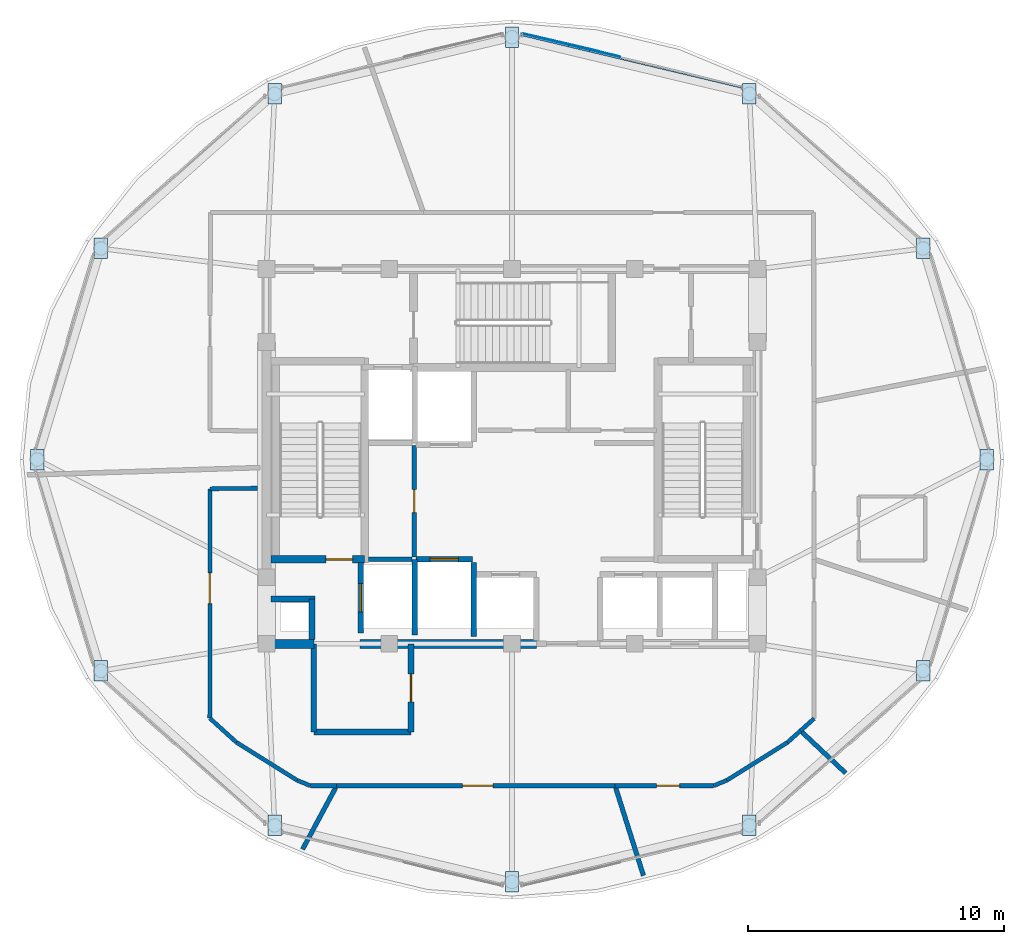
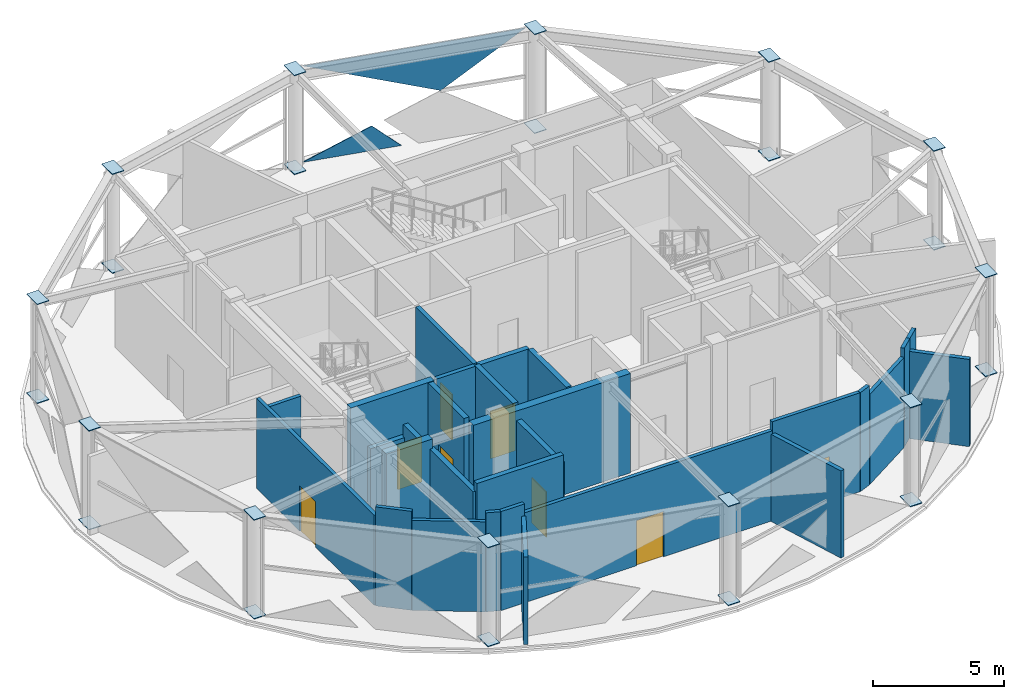
# One storey, part 16 of 22: 29 walls, 26 plates, 8 doors, 8 openings, 1 element without a shape of its own.
"""IFC4 building model written with IfcOpenShell, lengths in metres."""

from ifc_helpers import new_model, si_unit, direction, frame, frame_2d, origin, place, context, subcontext, project, spatial, polyline, rectangle, outline, extrude, material, layer, layer_set, type_object, element, fill, aggregate, save


model = new_model("IFC4")

# Units and contexts
model_context = context("Model", 3, precision=1e-05, world=origin(), true_north=direction((0.0, 1.0)))
body_context = subcontext(model_context, "Body", "Model", "MODEL_VIEW")
ifc_project = project(units=[si_unit("LENGTHUNIT", "METRE"), si_unit("AREAUNIT", "SQUARE_METRE"), si_unit("VOLUMEUNIT", "CUBIC_METRE"), si_unit("PLANEANGLEUNIT", "RADIAN"), si_unit("MASSUNIT", "GRAM", prefix="KILO")], contexts=[model_context])

# Site, building, storey
site_placement = place(None, origin())
site = spatial("IfcSite", under=ifc_project, at=site_placement, CompositionType="ELEMENT")
building_placement = place(site_placement, origin())
building = spatial("IfcBuilding", under=site, at=building_placement, Name="Vantalir Tower", CompositionType="ELEMENT")
storey_placement = place(building_placement, frame((0.0, 0.0, 294.89990234375)))
storey = spatial("IfcBuildingStorey", under=building, at=storey_placement, Name="L74", CompositionType="ELEMENT", Elevation=294.89990234375)

# Curtain wall, plates
ifc_material_1 = material(Name="Champagne-silver PVDF aluminium and double-silver Low-E glass", Category="aluminium")
ifc_layer_1 = layer(ifc_material_1, 0.219970703125)
ifc_layer_set_1 = layer_set([ifc_layer_1], Name="Champagne-silver PVDF aluminium and double-silver Low-E glass")
curtain_wall_type = type_object("IfcCurtainWallType", Name="CW-DIAMOND-Z4", PredefinedType="USERDEFINED", material=ifc_layer_set_1)
curtain_wall_placement = place(storey_placement, origin())
curtain_wall = element("IfcCurtainWall", 1, at=curtain_wall_placement, inside=storey, type_object=curtain_wall_type, Name="L74 Quilted Pyramid-Diamond Curtain Wall S03", ObjectType="UNITISED CURTAIN WALL", PredefinedType="USERDEFINED")
ifc_material_2 = material(Name="Double-silver Low-E acoustic glass IGU", Category="glass")
ifc_layer_2 = layer(ifc_material_2, 0.031982421875)
ifc_layer_set_2 = layer_set([ifc_layer_2], Name="Double-silver Low-E acoustic glass IGU")
plate_type_1 = type_object("IfcPlateType", Name="CWP-IGU-32", PredefinedType="CURTAIN_PANEL", material=ifc_layer_set_2)
plate_1_placement = place(storey_placement, frame((35.727294921875, 40.72998046875, 0.047119140625), z_axis=(-0.232167544402, -0.972620611146, 0.010362340448), x_axis=(-0.972672834429, 0.232180010261, 0.0)))
plate_1 = element("IfcPlate", 2, at=plate_1_placement, type_object=plate_type_1, Name="CW-L74-S03 Pyramid Diamond Facet 1L Infill Light", PredefinedType="CURTAIN_PANEL", context=body_context, shape_type="SweptSolid", body=[
    extrude(outline(polyline([(0.0, 0.0), (3.9326638691899705, 0.0), (1.17798053778537, -1.1318967095902333), (0.0, 0.0)])), origin(), (0.0, 0.0, -1.0), 0.031982421875),
])
plate_2_placement = place(storey_placement, frame((31.893798828125, 41.60791015625, 4.57275390625), z_axis=(0.232163896716, 0.972619315832, 0.010563689318), x_axis=(0.972673722581, -0.232176282902, -5.5306404e-05)))
plate_2 = element("IfcPlate", 3, at=plate_2_placement, type_object=plate_type_1, Name="CW-L74-S03 Pyramid Diamond Facet 2U", PredefinedType="CURTAIN_PANEL", context=body_context, shape_type="SweptSolid", body=[
    extrude(outline(polyline([(0.0, 0.0), (8.828656665017538, -7.589415207398531e-19), (5.474024048379599, 2.248846171950978), (0.0, 0.0)])), origin(), (0.0, 0.0, -1.0), 0.031982421875),
])
aggregate(curtain_wall, [plate_1, plate_2])

# Plates
ifc_material_3 = material(Name="Steel S460", Category="steel")
ifc_layer_3 = layer(ifc_material_3, 0.031982421875)
ifc_layer_set_3 = layer_set([ifc_layer_3], Name="Steel S460")
plate_type_2 = type_object("IfcPlateType", Name="PLT-KN-Z3", PredefinedType="USERDEFINED", material=ifc_layer_set_3)
for number, where, z_axis, x_axis, name in (
    (4, (49.800048828125, 25.39990234375, 4.64404296875), (0.0, 0.0, 1.0), (0.0, -1.0, 0.0), "L74 Ring Column Top Cap RC01"),
    (5, (49.800048828125, 25.39990234375, 0.052978515625), (0.0, 0.0, 1.0), (0.0, -1.0, 0.0), "L74 Ring Column Base Cap RC01"),
):
    element("IfcPlate", number, at=place(storey_placement, frame(where, z_axis=z_axis, x_axis=x_axis)), inside=storey, type_object=plate_type_2, Name=name, ObjectType="FLANGE_PLATE", PredefinedType="USERDEFINED", context=body_context, shape_type="SweptSolid", body=[
        extrude(outline(polyline([(0.0, 0.0), (0.7998046875, 0.0), (0.7998046875, 0.52001953125), (0.0, 0.52001953125), (0.0, 0.0)])), origin(), (0.0, 0.0, -1.0), 0.031982421875),
    ])
for number, where, z_axis, x_axis, name in (
    (6, (47.31298828125, 33.656005859375, 4.64404296875), (0.0, 0.0, 1.0), (0.0, -1.0, 0.0), "L74 Ring Column Top Cap RC02"),
    (7, (47.31298828125, 33.656005859375, 0.052978515625), (0.0, 0.0, 1.0), (0.0, -1.0, 0.0), "L74 Ring Column Base Cap RC02"),
    (8, (40.52001953125, 39.699951171875, 4.64404296875), (0.0, 0.0, 1.0), (0.0, -1.0, 0.0), "L74 Ring Column Top Cap RC03"),
    (9, (40.52001953125, 39.699951171875, 0.052978515625), (0.0, 0.0, 1.0), (0.0, -1.0, 0.0), "L74 Ring Column Base Cap RC03"),
    (10, (31.239990234375, 41.912109375, 4.64404296875), (0.0, 0.0, 1.0), (0.0, -1.0, 0.0), "L74 Ring Column Top Cap RC04"),
    (11, (31.239990234375, 41.912109375, 0.052978515625), (0.0, 0.0, 1.0), (0.0, -1.0, 0.0), "L74 Ring Column Base Cap RC04"),
    (12, (21.9599609375, 39.699951171875, 4.64404296875), (0.0, 0.0, 1.0), (0.0, -1.0, 0.0), "L74 Ring Column Top Cap RC05"),
    (13, (21.9599609375, 39.699951171875, 0.052978515625), (0.0, 0.0, 1.0), (0.0, -1.0, 0.0), "L74 Ring Column Base Cap RC05"),
    (14, (15.1669921875, 33.656005859375, 4.64404296875), (0.0, 0.0, 1.0), (0.0, -1.0, 0.0), "L74 Ring Column Top Cap RC06"),
    (15, (15.1669921875, 33.656005859375, 0.052978515625), (0.0, 0.0, 1.0), (0.0, -1.0, 0.0), "L74 Ring Column Base Cap RC06"),
):
    element("IfcPlate", number, at=place(storey_placement, frame(where, z_axis=z_axis, x_axis=x_axis)), inside=storey, type_object=plate_type_2, Name=name, ObjectType="FLANGE_PLATE", PredefinedType="USERDEFINED", context=body_context, shape_type="SweptSolid", body=[
        extrude(outline(polyline([(0.0, 0.0), (0.800048828125, 0.0), (0.800048828125, 0.52001953125), (0.0, 0.52001953125), (0.0, 0.0)])), origin(), (0.0, 0.0, -1.0), 0.031982421875),
    ])
for number, where, z_axis, x_axis, name in (
    (16, (12.679931640625, 25.39990234375, 4.64404296875), (0.0, 0.0, 1.0), (0.0, -1.0, 0.0), "L74 Ring Column Top Cap RC07"),
    (17, (12.679931640625, 25.39990234375, 0.052978515625), (0.0, 0.0, 1.0), (0.0, -1.0, 0.0), "L74 Ring Column Base Cap RC07"),
):
    element("IfcPlate", number, at=place(storey_placement, frame(where, z_axis=z_axis, x_axis=x_axis)), inside=storey, type_object=plate_type_2, Name=name, ObjectType="FLANGE_PLATE", PredefinedType="USERDEFINED", context=body_context, shape_type="SweptSolid", body=[
        extrude(outline(polyline([(0.0, 0.0), (0.7998046875, 0.0), (0.7998046875, 0.52001953125), (0.0, 0.52001953125), (0.0, 0.0)])), origin(), (0.0, 0.0, -1.0), 0.031982421875),
    ])
for number, where, z_axis, x_axis, name in (
    (18, (15.1669921875, 17.14404296875, 4.64404296875), (0.0, 0.0, 1.0), (0.0, -1.0, 0.0), "L74 Ring Column Top Cap RC08"),
    (19, (15.1669921875, 17.14404296875, 0.052978515625), (0.0, 0.0, 1.0), (0.0, -1.0, 0.0), "L74 Ring Column Base Cap RC08"),
    (20, (21.9599609375, 11.10009765625, 4.64404296875), (0.0, 0.0, 1.0), (0.0, -1.0, 0.0), "L74 Ring Column Top Cap RC09"),
    (21, (21.9599609375, 11.10009765625, 0.052978515625), (0.0, 0.0, 1.0), (0.0, -1.0, 0.0), "L74 Ring Column Base Cap RC09"),
    (22, (31.239990234375, 8.887939453125, 4.64404296875), (0.0, 0.0, 1.0), (0.0, -1.0, 0.0), "L74 Ring Column Top Cap RC10"),
    (23, (31.239990234375, 8.887939453125, 0.052978515625), (0.0, 0.0, 1.0), (0.0, -1.0, 0.0), "L74 Ring Column Base Cap RC10"),
    (24, (40.52001953125, 11.10009765625, 4.64404296875), (0.0, 0.0, 1.0), (0.0, -1.0, 0.0), "L74 Ring Column Top Cap RC11"),
    (25, (40.52001953125, 11.10009765625, 0.052978515625), (0.0, 0.0, 1.0), (0.0, -1.0, 0.0), "L74 Ring Column Base Cap RC11"),
    (26, (47.31298828125, 17.14404296875, 4.64404296875), (0.0, 0.0, 1.0), (0.0, -1.0, 0.0), "L74 Ring Column Top Cap RC12"),
    (27, (47.31298828125, 17.14404296875, 0.052978515625), (0.0, 0.0, 1.0), (0.0, -1.0, 0.0), "L74 Ring Column Base Cap RC12"),
):
    element("IfcPlate", number, at=place(storey_placement, frame(where, z_axis=z_axis, x_axis=x_axis)), inside=storey, type_object=plate_type_2, Name=name, ObjectType="FLANGE_PLATE", PredefinedType="USERDEFINED", context=body_context, shape_type="SweptSolid", body=[
        extrude(outline(polyline([(0.0, 0.0), (0.800048828125, 0.0), (0.800048828125, 0.52001953125), (0.0, 0.52001953125), (0.0, 0.0)])), origin(), (0.0, 0.0, -1.0), 0.031982421875),
    ])

# Walls
ifc_material_4 = material(Name="Concrete C50/60", Category="concrete")
ifc_layer_4 = layer(ifc_material_4, 0.35009765625)
ifc_layer_set_4 = layer_set([ifc_layer_4], Name="Concrete C50/60")
wall_type_1 = type_object("IfcWallType", Name="WL-CORE-350", PredefinedType="SHEAR", material=ifc_layer_set_4)
wall_1_placement = place(storey_placement, frame((21.72509765625, 17.800048828125, 0.0), z_axis=(0.0, 0.0, 1.0), x_axis=(1.0, 0.0, 0.0)))
element("IfcWall", 28, at=wall_1_placement, inside=storey, type_object=wall_type_1, Name="L74 Core Shear Wall South-West", PredefinedType="SHEAR", context=body_context, shape_type="SweptSolid", body=[
    extrude(rectangle(XDim=2.02490234375, YDim=0.35009765625, at=frame_2d((1.012451171875, 0.0))), origin(), (0.0, 0.0, 1.0), 4.6201171875),
])
wall_2_placement = place(storey_placement, frame((25.550048828125, 17.800048828125, 0.0), z_axis=(0.0, 0.0, 1.0), x_axis=(1.0, 0.0, 0.0)))
element("IfcWall", 29, at=wall_2_placement, inside=storey, type_object=wall_type_1, Name="L74 Core Shear Wall South-Mid", PredefinedType="SHEAR", context=body_context, shape_type="SweptSolid", body=[
    extrude(rectangle(XDim=6.89990234375, YDim=0.35009765625, at=frame_2d((3.449951171875, 0.0))), origin(), (0.0, 0.0, 1.0), 4.6201171875),
])
ifc_material_5 = material(Name="Fire-rated hotel corridor acoustic partition", Category="gypsum")
ifc_layer_5 = layer(ifc_material_5, 0.159912109375)
ifc_layer_set_5 = layer_set([ifc_layer_5], Name="Fire-rated hotel corridor acoustic partition")
wall_type_2 = type_object("IfcWallType", Name="WL-CORR-160", PredefinedType="PARTITIONING", material=ifc_layer_set_5)
wall_3_placement = place(storey_placement, frame((43.31103515625, 14.8759765625, 0.0), z_axis=(0.0, 0.0, 1.0), x_axis=(-0.745250274911, -0.666784843668, 0.0)))
element("IfcWall", 30, at=wall_3_placement, inside=storey, type_object=wall_type_2, Name="L74 Corridor Partition 08", PredefinedType="PARTITIONING", context=body_context, shape_type="SweptSolid", body=[
    extrude(rectangle(XDim=0.71240234375, YDim=0.159912109375, at=frame_2d((0.356201171875, 0.0))), origin(), (0.0, 0.0, 1.0), 4.60009765625),
])
wall_4_placement = place(storey_placement, frame((42.780029296875, 14.40087890625, 0.0), z_axis=(0.0, 0.0, 1.0), x_axis=(-0.744831651069, -0.667252434665, 0.0)))
element("IfcWall", 31, at=wall_4_placement, inside=storey, type_object=wall_type_2, Name="L74 Corridor Partition 09", PredefinedType="PARTITIONING", context=body_context, shape_type="SweptSolid", body=[
    extrude(rectangle(XDim=0.68603515625, YDim=0.159912109375, at=frame_2d((0.343017578125, 0.0))), origin(), (0.0, 0.0, 1.0), 4.60009765625),
])
wall_5_placement = place(storey_placement, frame((42.26904296875, 13.943115234375, 0.0), z_axis=(0.0, 0.0, 1.0), x_axis=(-0.848052356046, -0.529912446924, 0.0)))
element("IfcWall", 32, at=wall_5_placement, inside=storey, type_object=wall_type_2, Name="L74 Corridor Partition 10", PredefinedType="PARTITIONING", context=body_context, shape_type="SweptSolid", body=[
    extrude(rectangle(XDim=2.791015625, YDim=0.159912109375, at=frame_2d((1.3955078125, 0.0))), origin(), (0.0, 0.0, 1.0), 4.18310546875),
])
wall_6_placement = place(storey_placement, frame((39.902099609375, 12.464111328125, 0.0), z_axis=(0.0, 0.0, 1.0), x_axis=(-0.923413213025, -0.383807292807, 0.0)))
element("IfcWall", 33, at=wall_6_placement, inside=storey, type_object=wall_type_2, Name="L74 Corridor Partition 11", PredefinedType="PARTITIONING", context=body_context, shape_type="SweptSolid", body=[
    extrude(rectangle(XDim=0.557861328125, YDim=0.159912109375, at=frame_2d((0.27880859375, 0.0))), origin(), (0.0, 0.0, 1.0), 4.60009765625),
])

# Wall, opening, door
wall_7_placement = place(storey_placement, frame((39.386962890625, 12.25, 0.0), z_axis=(0.0, 0.0, 1.0), x_axis=(-1.0, 0.0, 0.0)))
wall_7 = element("IfcWall", 34, at=wall_7_placement, inside=storey, type_object=wall_type_2, Name="L74 Corridor Partition 12", PredefinedType="PARTITIONING", context=body_context, shape_type="SweptSolid", body=[
    extrude(rectangle(XDim=3.85791015625, YDim=0.159912109375, at=frame_2d((1.928955078125, 0.0))), origin(), (0.0, 0.0, 1.0), 4.60009765625),
])
opening_1_placement = place(wall_7_placement, frame((1.33203125, 0.0, 0.0)))
opening_1 = element("IfcOpeningElement", 35, at=opening_1_placement, cuts=wall_7, Name="Opening D-WC", PredefinedType="OPENING", context=body_context, shape_type="SweptSolid", body=[
    extrude(rectangle(XDim=0.89990234375, YDim=2.10009765625, at=frame_2d((0.449951171875, 1.050048828125))), frame((0.0, 0.08984375, 0.0), z_axis=(0.0, -1.0, 0.0), x_axis=(1.0, 0.0, 0.0)), (0.0, 0.0, 1.0), 0.179931640625),
])
ifc_material_6 = material(Name="Moisture-resistant hardwood door", Category="wood")
door_type_1 = type_object("IfcDoorType", Name="DR-ENSUITE-900", OperationType="NOTDEFINED", PredefinedType="DOOR", material=ifc_material_6)
door_1_placement = place(opening_1_placement, origin())
door_1 = element("IfcDoor", 36, at=door_1_placement, inside=storey, type_object=door_type_1, Name="L74 Public Male WC Door", OperationType="SINGLE_SWING_RIGHT", OverallHeight=2.10009765625, OverallWidth=0.89990234375, PredefinedType="DOOR", context=body_context, shape_type="SweptSolid", body=[
    extrude(rectangle(XDim=0.89990234375, YDim=2.10009765625, at=frame_2d((0.449951171875, 1.050048828125))), frame((0.0, 0.02490234375, 0.0), z_axis=(0.0, -1.0, 0.0), x_axis=(1.0, 0.0, 0.0)), (0.0, 0.0, 1.0), 0.050048828125),
])
fill(opening_1, door_1)

wall_8_placement = place(storey_placement, frame((35.529052734375, 12.25, 0.0), z_axis=(0.0, 0.0, 1.0), x_axis=(-1.0, 0.0, 0.0)))
wall_8 = element("IfcWall", 37, at=wall_8_placement, inside=storey, type_object=wall_type_2, Name="L74 Corridor Partition 13", PredefinedType="PARTITIONING", context=body_context, shape_type="SweptSolid", body=[
    extrude(rectangle(XDim=10.882080078125, YDim=0.159912109375, at=frame_2d((5.44091796875, 0.0))), origin(), (0.0, 0.0, 1.0), 4.18310546875),
])
opening_2_placement = place(wall_8_placement, frame((4.76708984375, 0.0, 0.0)))
opening_2 = element("IfcOpeningElement", 38, at=opening_2_placement, cuts=wall_8, Name="Opening D-STE", PredefinedType="OPENING", context=body_context, shape_type="SweptSolid", body=[
    extrude(rectangle(XDim=1.199951171875, YDim=2.10009765625, at=frame_2d((0.60009765625, 1.050048828125))), frame((0.0, 0.08984375, 0.0), z_axis=(0.0, -1.0, 0.0), x_axis=(1.0, 0.0, 0.0)), (0.0, 0.0, 1.0), 0.179931640625),
])
ifc_material_7 = material(Name="Solid-core teak veneer suite entrance door", Category="wood")
door_type_2 = type_object("IfcDoorType", Name="DR-SUITE-ENTRY-1200", OperationType="NOTDEFINED", PredefinedType="DOOR", material=ifc_material_7)
door_2_placement = place(opening_2_placement, origin())
door_2 = element("IfcDoor", 39, at=door_2_placement, inside=storey, type_object=door_type_2, Name="L74 Observatory Gift Boutique Door", OperationType="SINGLE_SWING_LEFT", OverallHeight=2.10009765625, OverallWidth=1.199951171875, PredefinedType="DOOR", context=body_context, shape_type="SweptSolid", body=[
    extrude(rectangle(XDim=1.199951171875, YDim=2.10009765625, at=frame_2d((0.60009765625, 1.050048828125))), frame((0.0, 0.02490234375, 0.0), z_axis=(0.0, -1.0, 0.0), x_axis=(1.0, 0.0, 0.0)), (0.0, 0.0, 1.0), 0.050048828125),
])
fill(opening_2, door_2)

# Walls
wall_9_placement = place(storey_placement, frame((24.64697265625, 12.25, 0.0), z_axis=(0.0, 0.0, 1.0), x_axis=(-1.0, 0.0, 0.0)))
element("IfcWall", 40, at=wall_9_placement, inside=storey, type_object=wall_type_2, Name="L74 Corridor Partition 14", PredefinedType="PARTITIONING", context=body_context, shape_type="SweptSolid", body=[
    extrude(rectangle(XDim=1.030029296875, YDim=0.159912109375, at=frame_2d((0.51513671875, 0.0))), origin(), (0.0, 0.0, 1.0), 4.60009765625),
])
wall_10_placement = place(storey_placement, frame((23.616943359375, 12.25, 0.0), z_axis=(0.0, 0.0, 1.0), x_axis=(-0.925247302977, 0.379364505897, 0.0)))
element("IfcWall", 41, at=wall_10_placement, inside=storey, type_object=wall_type_2, Name="L74 Corridor Partition 15", PredefinedType="PARTITIONING", context=body_context, shape_type="SweptSolid", body=[
    extrude(rectangle(XDim=0.55859375, YDim=0.159912109375, at=frame_2d((0.279296875, 0.0))), origin(), (0.0, 0.0, 1.0), 4.60009765625),
])
wall_11_placement = place(storey_placement, frame((23.10009765625, 12.4619140625, 0.0), z_axis=(0.0, 0.0, 1.0), x_axis=(-0.847900235057, 0.530155818029, 0.0)))
element("IfcWall", 42, at=wall_11_placement, inside=storey, type_object=wall_type_2, Name="L74 Corridor Partition 16", PredefinedType="PARTITIONING", context=body_context, shape_type="SweptSolid", body=[
    extrude(rectangle(XDim=2.797607421875, YDim=0.159912109375, at=frame_2d((1.39892578125, 0.0))), origin(), (0.0, 0.0, 1.0), 4.18310546875),
])
wall_12_placement = place(storey_placement, frame((20.72802734375, 13.945068359375, 0.0), z_axis=(0.0, 0.0, 1.0), x_axis=(-0.741116421507, 0.671376533528, 0.0)))
element("IfcWall", 43, at=wall_12_placement, inside=storey, type_object=wall_type_2, Name="L74 Corridor Partition 17", PredefinedType="PARTITIONING", context=body_context, shape_type="SweptSolid", body=[
    extrude(rectangle(XDim=1.4072265625, YDim=0.159912109375, at=frame_2d((0.70361328125, 0.0))), origin(), (0.0, 0.0, 1.0), 4.60009765625),
])

# Wall, opening, door
wall_13_placement = place(storey_placement, frame((19.68505859375, 14.889892578125, 0.0), z_axis=(0.0, 0.0, 1.0), x_axis=(0.000108893909, 0.999999994071, 0.0)))
wall_13 = element("IfcWall", 44, at=wall_13_placement, inside=storey, type_object=wall_type_2, Name="L74 Corridor Partition 18", PredefinedType="PARTITIONING", context=body_context, shape_type="SweptSolid", body=[
    extrude(rectangle(XDim=8.968017578125, YDim=0.159912109375, at=frame_2d((4.48388671875, 0.0))), origin(), (0.0, 0.0, 1.0), 4.18310546875),
])
opening_3_placement = place(wall_13_placement, frame((4.47998046875, 0.0, 0.0)))
opening_3 = element("IfcOpeningElement", 45, at=opening_3_placement, cuts=wall_13, Name="Opening D-STE", PredefinedType="OPENING", context=body_context, shape_type="SweptSolid", body=[
    extrude(rectangle(XDim=1.199951171875, YDim=2.10009765625, at=frame_2d((0.60009765625, 1.050048828125))), frame((0.0, 0.08984375, 0.0), z_axis=(0.0, -1.0, 0.0), x_axis=(1.0, 0.0, 0.0)), (0.0, 0.0, 1.0), 0.179931640625),
])
door_3_placement = place(opening_3_placement, origin())
door_3 = element("IfcDoor", 46, at=door_3_placement, inside=storey, type_object=door_type_2, Name="L74 Observatory Administration and Security Office Door", OperationType="SINGLE_SWING_RIGHT", OverallHeight=2.10009765625, OverallWidth=1.199951171875, PredefinedType="DOOR", context=body_context, shape_type="SweptSolid", body=[
    extrude(rectangle(XDim=1.199951171875, YDim=2.10009765625, at=frame_2d((0.60009765625, 1.050048828125))), frame((0.0, 0.02490234375, 0.0), z_axis=(0.0, -1.0, 0.0), x_axis=(1.0, 0.0, 0.0)), (0.0, 0.0, 1.0), 0.050048828125),
])
fill(opening_3, door_3)

# Walls
wall_14_placement = place(storey_placement, frame((19.68603515625, 23.85791015625, 0.0), z_axis=(0.0, 0.0, 1.0), x_axis=(0.999915479981, 0.013001265106, 0.0)))
element("IfcWall", 47, at=wall_14_placement, inside=storey, type_object=wall_type_2, Name="L74 Corridor Partition 19", PredefinedType="PARTITIONING", context=body_context, shape_type="SweptSolid", body=[
    extrude(rectangle(XDim=1.859130859375, YDim=0.159912109375, at=frame_2d((0.9296875, 0.0))), origin(), (0.0, 0.0, 1.0), 3.64501953125),
])
ifc_material_8 = material(Name="Concrete blockwork with fireboard lining", Category="masonry")
ifc_layer_6 = layer(ifc_material_8, 0.219970703125)
ifc_layer_set_6 = layer_set([ifc_layer_6], Name="Concrete blockwork with fireboard lining")
wall_type_3 = type_object("IfcWallType", Name="WL-FFL-220", PredefinedType="PARTITIONING", material=ifc_layer_set_6)
wall_15_placement = place(storey_placement, frame((30.0, 18.080078125, 0.0), z_axis=(0.0, 0.0, 1.0), x_axis=(0.0, 1.0, 0.0)))
element("IfcWall", 48, at=wall_15_placement, inside=storey, type_object=wall_type_3, Name="L74 Service Lift SV1 East Shaft Wall", PredefinedType="PARTITIONING", context=body_context, shape_type="SweptSolid", body=[
    extrude(rectangle(XDim=2.89990234375, YDim=0.219970703125, at=frame_2d((1.449951171875, 0.0))), origin(), (0.0, 0.0, 1.0), 4.59521484375),
])
wall_16_placement = place(storey_placement, frame((23.679931640625, 17.97509765625, 0.0), z_axis=(0.0, 0.0, 1.0), x_axis=(0.0, 1.0, 0.0)))
element("IfcWall", 49, at=wall_16_placement, inside=storey, type_object=wall_type_3, Name="L74 West MEP Riser Wall E", PredefinedType="PARTITIONING", context=body_context, shape_type="SweptSolid", body=[
    extrude(rectangle(XDim=1.574951171875, YDim=0.219970703125, at=frame_2d((0.78759765625, 0.0))), origin(), (0.0, 0.0, 1.0), 4.18310546875),
])
wall_17_placement = place(storey_placement, frame((22.074951171875, 19.550048828125, 0.0), z_axis=(0.0, 0.0, 1.0), x_axis=(1.0, 0.0, 0.0)))
element("IfcWall", 50, at=wall_17_placement, inside=storey, type_object=wall_type_3, Name="L74 West MEP Riser Wall N", PredefinedType="PARTITIONING", context=body_context, shape_type="SweptSolid", body=[
    extrude(rectangle(XDim=1.715087890625, YDim=0.219970703125, at=frame_2d((0.857421875, 0.0))), origin(), (0.0, 0.0, 1.0), 3.64501953125),
])

# Wall, opening, door
wall_18_placement = place(storey_placement, frame((25.590087890625, 18.219970703125, 0.0), z_axis=(0.0, 0.0, 1.0), x_axis=(0.0, 1.0, 0.0)))
wall_18 = element("IfcWall", 51, at=wall_18_placement, inside=storey, type_object=wall_type_3, Name="L74 Lift FL1 Shaft Front Wall", PredefinedType="PARTITIONING", context=body_context, shape_type="SweptSolid", body=[
    extrude(rectangle(XDim=2.760009765625, YDim=0.219970703125, at=frame_2d((1.3798828125, 0.0))), origin(), (0.0, 0.0, 1.0), 4.60009765625),
])
opening_4_placement = place(wall_18_placement, frame((0.830078125, 0.0, 0.0)))
opening_4 = element("IfcOpeningElement", 52, at=opening_4_placement, cuts=wall_18, Name="Opening LD-FL1", PredefinedType="OPENING", context=body_context, shape_type="SweptSolid", body=[
    extrude(rectangle(XDim=1.10009765625, YDim=2.199951171875, at=frame_2d((0.550048828125, 1.10009765625))), frame((0.0, 0.119873046875, 0.0), z_axis=(0.0, -1.0, 0.0), x_axis=(1.0, 0.0, 0.0)), (0.0, 0.0, 1.0), 0.239990234375),
])
ifc_material_9 = material(Name="Brushed stainless-steel sliding lift landing door", Category="steel")
door_type_3 = type_object("IfcDoorType", Name="DR-LIFT-LANDING-1100", OperationType="DOUBLE_DOOR_SLIDING", PredefinedType="DOOR", material=ifc_material_9)
door_4_placement = place(opening_4_placement, origin())
door_4 = element("IfcDoor", 53, at=door_4_placement, inside=storey, type_object=door_type_3, Name="L74 Lift Landing Door FL1", OperationType="DOUBLE_DOOR_SLIDING", OverallHeight=2.199951171875, OverallWidth=1.10009765625, PredefinedType="DOOR", context=body_context, shape_type="SweptSolid", body=[
    extrude(rectangle(XDim=1.10009765625, YDim=2.199951171875, at=frame_2d((0.550048828125, 1.10009765625))), frame((0.0, 0.02490234375, 0.0), z_axis=(0.0, -1.0, 0.0), x_axis=(1.0, 0.0, 0.0)), (0.0, 0.0, 1.0), 0.050048828125),
])
fill(opening_4, door_4)

wall_19_placement = place(storey_placement, frame((27.739990234375, 21.110107421875, 0.0), z_axis=(0.0, 0.0, 1.0), x_axis=(1.0, 0.0, 0.0)))
wall_19 = element("IfcWall", 54, at=wall_19_placement, inside=storey, type_object=wall_type_3, Name="L74 Lift SV1 Shaft Front Wall", PredefinedType="PARTITIONING", context=body_context, shape_type="SweptSolid", body=[
    extrude(rectangle(XDim=2.219970703125, YDim=0.219970703125, at=frame_2d((1.10986328125, 0.0))), origin(), (0.0, 0.0, 1.0), 4.60009765625),
])
opening_5_placement = place(wall_19_placement, frame((0.56005859375, 0.0, 0.0)))
opening_5 = element("IfcOpeningElement", 55, at=opening_5_placement, cuts=wall_19, Name="Opening LD-SV1", PredefinedType="OPENING", context=body_context, shape_type="SweptSolid", body=[
    extrude(rectangle(XDim=1.10009765625, YDim=2.199951171875, at=frame_2d((0.550048828125, 1.10009765625))), frame((0.0, 0.119873046875, 0.0), z_axis=(0.0, -1.0, 0.0), x_axis=(1.0, 0.0, 0.0)), (0.0, 0.0, 1.0), 0.239990234375),
])
door_5_placement = place(opening_5_placement, origin())
door_5 = element("IfcDoor", 56, at=door_5_placement, inside=storey, type_object=door_type_3, Name="L74 Lift Landing Door SV1", OperationType="DOUBLE_DOOR_SLIDING", OverallHeight=2.199951171875, OverallWidth=1.10009765625, PredefinedType="DOOR", context=body_context, shape_type="SweptSolid", body=[
    extrude(rectangle(XDim=1.10009765625, YDim=2.199951171875, at=frame_2d((0.550048828125, 1.10009765625))), frame((0.0, 0.02490234375, 0.0), z_axis=(0.0, -1.0, 0.0), x_axis=(1.0, 0.0, 0.0)), (0.0, 0.0, 1.0), 0.050048828125),
])
fill(opening_5, door_5)

# Walls
wall_20_placement = place(storey_placement, frame((27.699951171875, 18.14990234375, 0.0), z_axis=(0.0, 0.0, 1.0), x_axis=(0.0, 1.0, 0.0)))
element("IfcWall", 57, at=wall_20_placement, inside=storey, type_object=wall_type_3, Name="L74 Fire Lift FL1 Dividing Wall", PredefinedType="PARTITIONING", context=body_context, shape_type="SweptSolid", body=[
    extrude(rectangle(XDim=2.9501953125, YDim=0.219970703125, at=frame_2d((1.47509765625, 0.0))), origin(), (0.0, 0.0, 1.0), 4.60009765625),
])
wall_21_placement = place(storey_placement, frame((23.75, 14.35009765625, 0.0), z_axis=(0.0, 0.0, 1.0), x_axis=(0.0, 1.0, 0.0)))
element("IfcWall", 58, at=wall_21_placement, inside=storey, type_object=wall_type_3, Name="L74 Firefighting Lobby West Outer W", PredefinedType="PARTITIONING", context=body_context, shape_type="SweptSolid", body=[
    extrude(rectangle(XDim=3.449951171875, YDim=0.219970703125, at=frame_2d((1.72509765625, 0.0))), origin(), (0.0, 0.0, 1.0), 4.18310546875),
])
wall_22_placement = place(storey_placement, frame((23.75, 14.35009765625, 0.0), z_axis=(0.0, 0.0, 1.0), x_axis=(1.0, 0.0, 0.0)))
element("IfcWall", 59, at=wall_22_placement, inside=storey, type_object=wall_type_3, Name="L74 Firefighting Lobby West South Wall", PredefinedType="PARTITIONING", context=body_context, shape_type="SweptSolid", body=[
    extrude(rectangle(XDim=3.800048828125, YDim=0.219970703125, at=frame_2d((1.89990234375, 0.0))), origin(), (0.0, 0.0, 1.0), 4.60009765625),
])

# Wall, opening, door
wall_23_placement = place(storey_placement, frame((27.550048828125, 14.35009765625, 0.0), z_axis=(0.0, 0.0, 1.0), x_axis=(0.0, 1.0, 0.0)))
wall_23 = element("IfcWall", 60, at=wall_23_placement, inside=storey, type_object=wall_type_3, Name="L74 Firefighting Lobby West East Wall", PredefinedType="PARTITIONING", context=body_context, shape_type="SweptSolid", body=[
    extrude(rectangle(XDim=3.449951171875, YDim=0.219970703125, at=frame_2d((1.72509765625, 0.0))), origin(), (0.0, 0.0, 1.0), 4.18310546875),
])
opening_6_placement = place(wall_23_placement, frame((1.175048828125, 0.0, 0.0)))
opening_6 = element("IfcOpeningElement", 61, at=opening_6_placement, cuts=wall_23, Name="Opening D-FFL", PredefinedType="OPENING", context=body_context, shape_type="SweptSolid", body=[
    extrude(rectangle(XDim=1.10009765625, YDim=2.10009765625, at=frame_2d((0.550048828125, 1.050048828125))), frame((0.0, 0.119873046875, 0.0), z_axis=(0.0, -1.0, 0.0), x_axis=(1.0, 0.0, 0.0)), (0.0, 0.0, 1.0), 0.239990234375),
])
ifc_material_10 = material(Name="Fire-rated acoustic steel door", Category="steel")
door_type_4 = type_object("IfcDoorType", Name="DR-FIRE-LOBBY-1100", OperationType="NOTDEFINED", PredefinedType="DOOR", material=ifc_material_10)
door_6_placement = place(opening_6_placement, origin())
door_6 = element("IfcDoor", 62, at=door_6_placement, inside=storey, type_object=door_type_4, Name="L74 Firefighting Lobby West Access Door", OperationType="SINGLE_SWING_LEFT", OverallHeight=2.10009765625, OverallWidth=1.10009765625, PredefinedType="DOOR", context=body_context, shape_type="SweptSolid", body=[
    extrude(rectangle(XDim=1.10009765625, YDim=2.10009765625, at=frame_2d((0.550048828125, 1.050048828125))), frame((0.0, 0.02490234375, 0.0), z_axis=(0.0, -1.0, 0.0), x_axis=(1.0, 0.0, 0.0)), (0.0, 0.0, 1.0), 0.050048828125),
])
fill(opening_6, door_6)

# Wall
ifc_material_11 = material(Name="Twin-stud acoustic fire-rated gypsum partition", Category="gypsum")
ifc_layer_7 = layer(ifc_material_11, 0.179931640625)
ifc_layer_set_7 = layer_set([ifc_layer_7], Name="Twin-stud acoustic fire-rated gypsum partition")
wall_type_4 = type_object("IfcWallType", Name="WL-GUEST-180", PredefinedType="PARTITIONING", material=ifc_layer_set_7)
wall_24_placement = place(storey_placement, frame((25.889892578125, 21.10009765625, 0.0), z_axis=(0.0, 0.0, 1.0), x_axis=(1.0, 0.0, 0.0)))
element("IfcWall", 63, at=wall_24_placement, inside=storey, type_object=wall_type_4, Name="L74 Freed West Core South Wall", PredefinedType="PARTITIONING", context=body_context, shape_type="SweptSolid", body=[
    extrude(rectangle(XDim=1.7001953125, YDim=0.179931640625, at=frame_2d((0.85009765625, 0.0))), origin(), (0.0, 0.0, 1.0), 4.60009765625),
])

# Wall, opening, door
wall_25_placement = place(storey_placement, frame((27.679931640625, 21.18994140625, 0.0), z_axis=(0.0, 0.0, 1.0), x_axis=(0.0, 1.0, 0.0)))
wall_25 = element("IfcWall", 64, at=wall_25_placement, inside=storey, type_object=wall_type_4, Name="L74 West Pantry East Wall", PredefinedType="PARTITIONING", context=body_context, shape_type="SweptSolid", body=[
    extrude(rectangle(XDim=4.3701171875, YDim=0.179931640625, at=frame_2d((2.18505859375, 0.0))), origin(), (0.0, 0.0, 1.0), 4.60009765625),
])
opening_7_placement = place(wall_25_placement, frame((1.735107421875, 0.0, 0.0)))
opening_7 = element("IfcOpeningElement", 65, at=opening_7_placement, cuts=wall_25, Name="Opening D-CR", PredefinedType="OPENING", context=body_context, shape_type="SweptSolid", body=[
    extrude(rectangle(XDim=0.89990234375, YDim=2.10009765625, at=frame_2d((0.449951171875, 1.050048828125))), frame((0.0, 0.099853515625, 0.0), z_axis=(0.0, -1.0, 0.0), x_axis=(1.0, 0.0, 0.0)), (0.0, 0.0, 1.0), 0.199951171875),
])
ifc_material_12 = material(Name="Fire-rated steel core service door", Category="steel")
door_type_5 = type_object("IfcDoorType", Name="DR-CORE-SERV-900", OperationType="NOTDEFINED", PredefinedType="DOOR", material=ifc_material_12)
door_7_placement = place(opening_7_placement, origin())
door_7 = element("IfcDoor", 66, at=door_7_placement, inside=storey, type_object=door_type_5, Name="L74 Core Pantry Door", OperationType="SINGLE_SWING_LEFT", OverallHeight=2.10009765625, OverallWidth=0.89990234375, PredefinedType="DOOR", context=body_context, shape_type="SweptSolid", body=[
    extrude(rectangle(XDim=0.89990234375, YDim=2.10009765625, at=frame_2d((0.449951171875, 1.050048828125))), frame((0.0, 0.02490234375, 0.0), z_axis=(0.0, -1.0, 0.0), x_axis=(1.0, 0.0, 0.0)), (0.0, 0.0, 1.0), 0.050048828125),
])
fill(opening_7, door_7)

# Walls
wall_26_placement = place(storey_placement, frame((24.60693359375, 12.175048828125, 0.0), z_axis=(0.0, 0.0, 1.0), x_axis=(-0.473418893928, -0.88083741455, 0.0)))
element("IfcWall", 67, at=wall_26_placement, inside=storey, type_object=wall_type_4, Name="L74 Radial Suite Partition 04", PredefinedType="PARTITIONING", context=body_context, shape_type="SweptSolid", body=[
    extrude(rectangle(XDim=2.7373046875, YDim=0.179931640625, at=frame_2d((1.36865234375, 0.0))), origin(), (0.0, 0.0, 1.0), 4.052978515625),
])
wall_27_placement = place(storey_placement, frame((35.552978515625, 12.175048828125, 0.0), z_axis=(0.0, 0.0, 1.0), x_axis=(0.301118408189, -0.953586757589, 0.0)))
element("IfcWall", 68, at=wall_27_placement, inside=storey, type_object=wall_type_4, Name="L74 Radial Suite Partition 05", PredefinedType="PARTITIONING", context=body_context, shape_type="SweptSolid", body=[
    extrude(rectangle(XDim=3.6064453125, YDim=0.179931640625, at=frame_2d((1.80322265625, 0.0))), origin(), (0.0, 0.0, 1.0), 4.052978515625),
])
wall_28_placement = place(storey_placement, frame((42.8369140625, 14.347900390625, 0.0), z_axis=(0.0, 0.0, 1.0), x_axis=(0.728744101119, -0.684786123607, 0.0)))
element("IfcWall", 69, at=wall_28_placement, inside=storey, type_object=wall_type_4, Name="L74 Radial Suite Partition 06", PredefinedType="PARTITIONING", context=body_context, shape_type="SweptSolid", body=[
    extrude(rectangle(XDim=2.34375, YDim=0.179931640625, at=frame_2d((1.171875, 0.0))), origin(), (0.0, 0.0, 1.0), 4.052978515625),
])

# Wall, opening, door
ifc_layer_8 = layer(ifc_material_4, 0.300048828125)
ifc_layer_set_8 = layer_set([ifc_layer_8], Name="Concrete C50/60")
wall_type_5 = type_object("IfcWallType", Name="WL-STAIR-300", PredefinedType="SHEAR", material=ifc_layer_set_8)
wall_29_placement = place(storey_placement, frame((22.074951171875, 21.10009765625, 0.0), z_axis=(0.0, 0.0, 1.0), x_axis=(1.0, 0.0, 0.0)))
wall_29 = element("IfcWall", 70, at=wall_29_placement, inside=storey, type_object=wall_type_5, Name="L74 Stair ST1 South Wall", PredefinedType="SHEAR", context=body_context, shape_type="SweptSolid", body=[
    extrude(rectangle(XDim=3.6650390625, YDim=0.300048828125, at=frame_2d((1.83251953125, 0.0))), origin(), (0.0, 0.0, 1.0), 4.6201171875),
])
opening_8_placement = place(wall_29_placement, frame((2.14501953125, 0.0, 0.0)))
opening_8 = element("IfcOpeningElement", 71, at=opening_8_placement, cuts=wall_29, Name="Opening D-ST", PredefinedType="OPENING", context=body_context, shape_type="SweptSolid", body=[
    extrude(rectangle(XDim=1.050048828125, YDim=2.10009765625, at=frame_2d((0.52490234375, 1.050048828125))), frame((0.0, 0.159912109375, 0.0), z_axis=(0.0, -1.0, 0.0), x_axis=(1.0, 0.0, 0.0)), (0.0, 0.0, 1.0), 0.320068359375),
])
ifc_material_13 = material(Name="Fire-rated steel door leaf", Category="steel")
door_type_6 = type_object("IfcDoorType", Name="DR-FIRE-STAIR-1050", OperationType="NOTDEFINED", PredefinedType="DOOR", material=ifc_material_13)
door_8_placement = place(opening_8_placement, origin())
door_8 = element("IfcDoor", 72, at=door_8_placement, inside=storey, type_object=door_type_6, Name="L74 Exit Stair ST1 Fire Door", OperationType="SINGLE_SWING_LEFT", OverallHeight=2.10009765625, OverallWidth=1.050048828125, PredefinedType="DOOR", context=body_context, shape_type="SweptSolid", body=[
    extrude(rectangle(XDim=1.050048828125, YDim=2.10009765625, at=frame_2d((0.52490234375, 1.050048828125))), frame((0.0, 0.02490234375, 0.0), z_axis=(0.0, -1.0, 0.0), x_axis=(1.0, 0.0, 0.0)), (0.0, 0.0, 1.0), 0.050048828125),
])
fill(opening_8, door_8)

save(model, "model.ifc")
